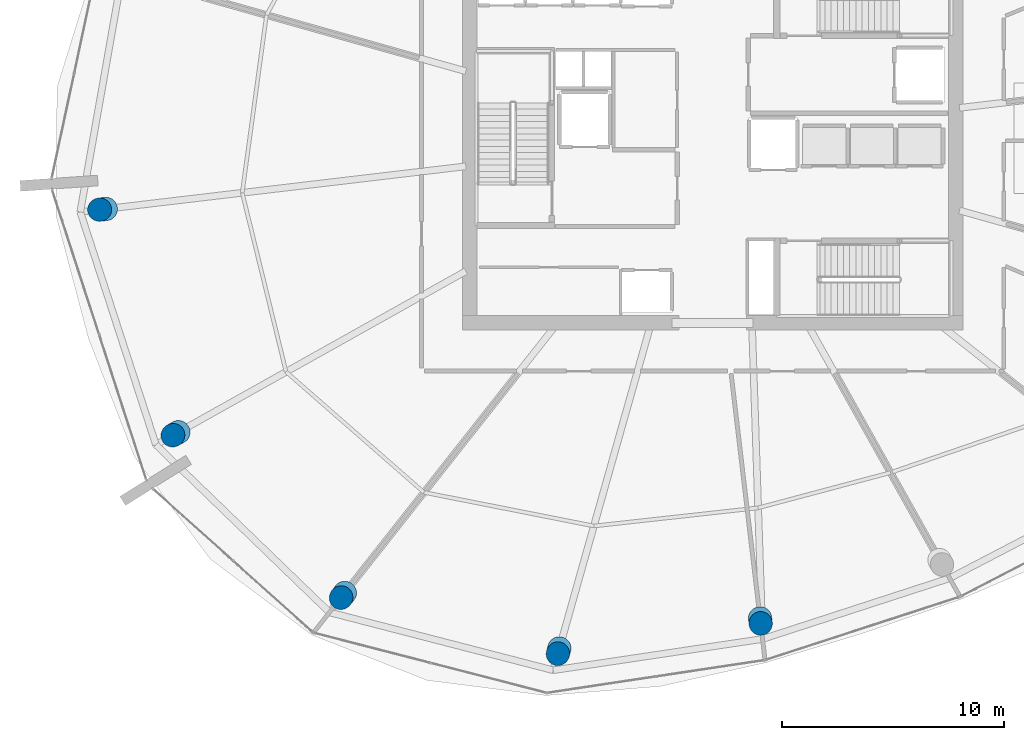
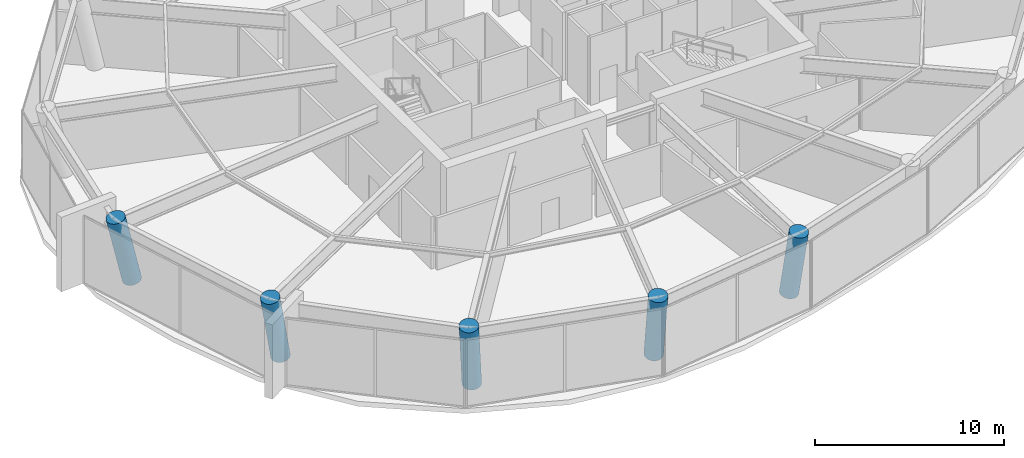
# One storey, part 1 of 22: 5 columns.
"""IFC4 building model written with IfcOpenShell, lengths in metres."""

from ifc_helpers import new_model, si_unit, direction, frame, origin, origin_2d, place, context, subcontext, project, spatial, circle, extrude, material, material_profile, profile_set, type_object, element, save


model = new_model("IFC4")

# Units and contexts
model_context = context("Model", 3, precision=1e-05, world=origin(), true_north=direction((0.0, 1.0)))
body_context = subcontext(model_context, "Body", "Model", "MODEL_VIEW")
ifc_project = project(units=[si_unit("LENGTHUNIT", "METRE"), si_unit("AREAUNIT", "SQUARE_METRE"), si_unit("VOLUMEUNIT", "CUBIC_METRE"), si_unit("PLANEANGLEUNIT", "RADIAN"), si_unit("MASSUNIT", "GRAM", prefix="KILO")], contexts=[model_context])

# Site, building, storey
site_placement = place(None, origin())
site = spatial("IfcSite", under=ifc_project, at=site_placement, CompositionType="ELEMENT")
building_placement = place(site_placement, origin())
building = spatial("IfcBuilding", under=site, at=building_placement, Name="Kazma Halo Residences", CompositionType="ELEMENT")
storey_placement = place(building_placement, frame((0.0, 0.0, 231.89990234375)))
storey = spatial("IfcBuildingStorey", under=building, at=storey_placement, Name="L58", CompositionType="ELEMENT", Elevation=231.89990234375)

# Columns
ifc_material = material(Name="Concrete C80/95", Category="concrete")
ifc_material_profile = material_profile(ifc_material, circle(Radius=0.52490234375, at=origin_2d()), Name="CIRC1050")
ifc_profile_set = profile_set([ifc_material_profile], Name="Concrete C80/95")
column_type = type_object("IfcColumnType", Name="COL-PERIM-1050", PredefinedType="COLUMN", material=ifc_profile_set)
column_1_placement = place(storey_placement, frame((21.08447265625, 38.814208984375, 0.0), z_axis=(-0.235548638365, -0.027866967056, 0.97146295406), x_axis=(0.117487290092, -0.993074386271, 0.0)))
element("IfcColumn", 1, at=column_1_placement, inside=storey, type_object=column_type, Name="L58 perimeter ring column P08", PredefinedType="COLUMN", context=body_context, shape_type="SweptSolid", body=[
    extrude(circle(Radius=0.52490234375, at=origin_2d()), origin(), (0.0, 0.0, 1.0), 4.529296875),
])
column_2_placement = place(storey_placement, frame((24.352294921875, 28.756591796875, 0.0), z_axis=(-0.206979778602, -0.115887115623, 0.971457434828), x_axis=(0.4885341758, -0.872544760499, 0.0)))
element("IfcColumn", 2, at=column_2_placement, inside=storey, type_object=column_type, Name="L58 perimeter ring column P09", PredefinedType="COLUMN", context=body_context, shape_type="SweptSolid", body=[
    extrude(circle(Radius=0.52490234375, at=origin_2d()), origin(), (0.0, 0.0, 1.0), 4.529541015625),
])
column_3_placement = place(storey_placement, frame((31.85107421875, 21.51513671875, 0.0), z_axis=(-0.141623073819, -0.179648491046, 0.97348308903), x_axis=(0.785317732316, -0.619092932692, 0.0)))
element("IfcColumn", 3, at=column_3_placement, inside=storey, type_object=column_type, Name="L58 perimeter ring column P10", PredefinedType="COLUMN", context=body_context, shape_type="SweptSolid", body=[
    extrude(circle(Radius=0.52490234375, at=origin_2d()), origin(), (0.0, 0.0, 1.0), 4.52001953125),
])
column_4_placement = place(storey_placement, frame((41.517333984375, 19.014404296875, 0.0), z_axis=(-0.057064203539, -0.202436889361, 0.977631312152), x_axis=(0.96249113016, -0.271313148159, 0.0)))
element("IfcColumn", 4, at=column_4_placement, inside=storey, type_object=column_type, Name="L58 perimeter ring column P11", PredefinedType="COLUMN", context=body_context, shape_type="SweptSolid", body=[
    extrude(circle(Radius=0.52490234375, at=origin_2d()), origin(), (0.0, 0.0, 1.0), 4.500732421875),
])
column_5_placement = place(storey_placement, frame((50.560791015625, 20.36474609375, 0.0), z_axis=(0.022595030847, -0.191268297268, 0.981277689057), x_axis=(0.993094531049, 0.117316888809, 0.0)))
element("IfcColumn", 5, at=column_5_placement, inside=storey, type_object=column_type, Name="L58 perimeter ring column P12", PredefinedType="COLUMN", context=body_context, shape_type="SweptSolid", body=[
    extrude(circle(Radius=0.52490234375, at=origin_2d()), origin(), (0.0, 0.0, 1.0), 4.484130859375),
])

save(model, "model.ifc")
